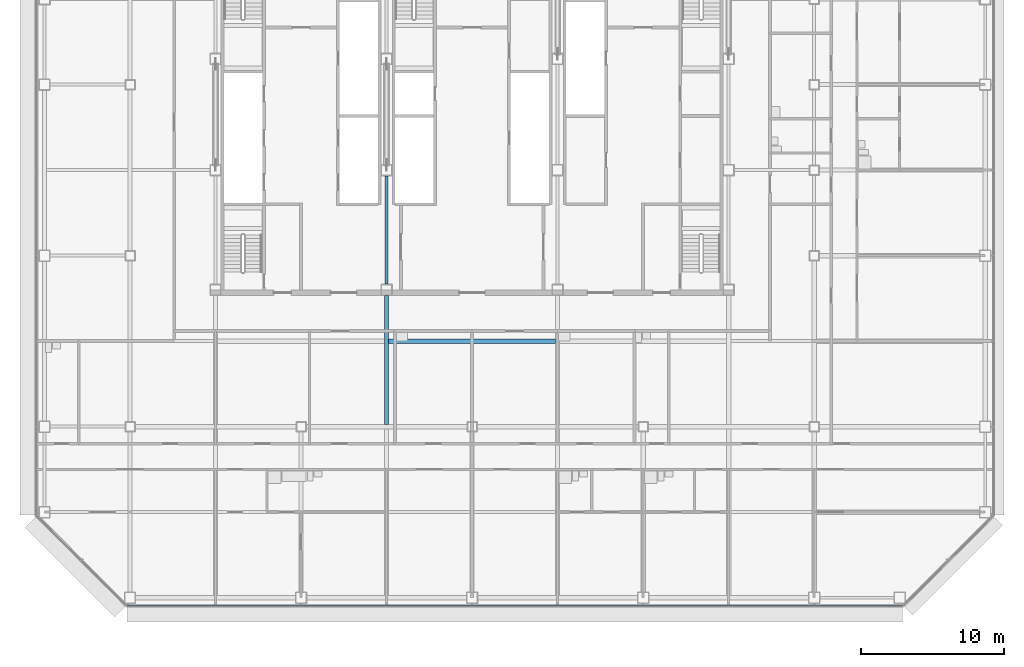
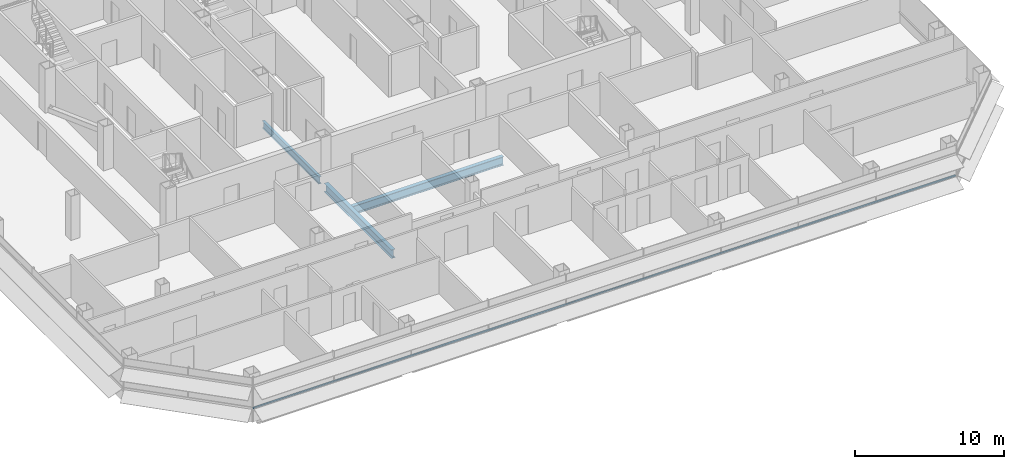
# One storey, part 7 of 25: 3 beams, 1 member, 1 element without a shape of its own.
"""IFC4 building model written with IfcOpenShell, lengths in metres."""

from ifc_helpers import new_model, si_unit, direction, frame, origin, origin_2d, place, context, subcontext, project, spatial, rectangle, i_section, extrude, material, material_profile, profile_set, type_object, element, aggregate, save


model = new_model("IFC4")

# Units and contexts
model_context = context("Model", 3, precision=1e-05, world=origin(), true_north=direction((0.0, 1.0)))
body_context = subcontext(model_context, "Body", "Model", "MODEL_VIEW")
ifc_project = project(units=[si_unit("LENGTHUNIT", "METRE"), si_unit("AREAUNIT", "SQUARE_METRE"), si_unit("VOLUMEUNIT", "CUBIC_METRE"), si_unit("PLANEANGLEUNIT", "RADIAN"), si_unit("MASSUNIT", "GRAM", prefix="KILO")], contexts=[model_context])

# Site, building, storey
site_placement = place(None, origin())
site = spatial("IfcSite", under=ifc_project, at=site_placement, CompositionType="ELEMENT")
building_placement = place(site_placement, origin())
building = spatial("IfcBuilding", under=site, at=building_placement, Name="Sorahane Residences", CompositionType="ELEMENT")
storey_placement = place(building_placement, frame((0.0, 0.0, 123.199951171875)))
storey = spatial("IfcBuildingStorey", under=building, at=storey_placement, Name="L27", CompositionType="ELEMENT", Elevation=123.199951171875)

# Curtain wall, member
ifc_material_1 = material(Name="Dark low-e glass and black anodised aluminium", Category="aluminium")
curtain_wall_type = type_object("IfcCurtainWallType", Name="Curtain wall CW-1 Typical unitised wall", PredefinedType="NOTDEFINED", material=ifc_material_1)
curtain_wall_placement = place(storey_placement, origin())
curtain_wall = element("IfcCurtainWall", 1, at=curtain_wall_placement, inside=storey, type_object=curtain_wall_type, Name="CW-1 curtain wall L27 S1", PredefinedType="NOTDEFINED")
ifc_material_2 = material(Name="Black anodised aluminium", Category="aluminium")
ifc_material_profile_1 = material_profile(ifc_material_2, rectangle(XDim=0.10009765625, YDim=0.06005859375, at=origin_2d()), Name="Curtain wall transom CW-1 black anodised aluminium 60x100")
ifc_profile_set_1 = profile_set([ifc_material_profile_1], Name="Black anodised aluminium")
member_type = type_object("IfcMemberType", Name="Curtain wall transom CW-1 black anodised aluminium 60x100", PredefinedType="USERDEFINED", material=ifc_profile_set_1)
member_placement = place(storey_placement, frame((-0.198486328125, -0.530029296875, 0.900146484375), z_axis=(1.0, 0.0, 0.0), x_axis=(0.0, 1.0, 0.0)))
member = element("IfcMember", 2, at=member_placement, type_object=member_type, Name="CW-1 transom L27 S1", ObjectType="TRANSOM", PredefinedType="USERDEFINED", context=body_context, shape_type="SweptSolid", body=[
    extrude(rectangle(XDim=0.10009765625, YDim=0.06005859375, at=origin_2d()), origin(), (0.0, 0.0, 1.0), 54.39697265625),
])
aggregate(curtain_wall, [member])

# Beams
ifc_material_3 = material(Name="Steel Q355B", Category="steel")
ifc_material_profile_2 = material_profile(ifc_material_3, i_section(OverallWidth=0.199951171875, OverallDepth=0.60009765625, WebThickness=0.010986328125, FlangeThickness=0.01708984375, FilletRadius=0.02392578125, at=origin_2d()), Name="HN 600x200x11x17")
ifc_profile_set_2 = profile_set([ifc_material_profile_2], Name="Steel Q355B")
beam_type_1 = type_object("IfcBeamType", Name="Steel floor beam HN 600x200x11x17 Q355B", PredefinedType="BEAM", material=ifc_profile_set_2)
beam_1_placement = place(storey_placement, frame((18.0, 22.0, -0.47998046875), z_axis=(0.0, 1.0, 0.0), x_axis=(-1.0, 0.0, 0.0)))
element("IfcBeam", 3, at=beam_1_placement, inside=storey, type_object=beam_type_1, Name="Beam L27 038", PredefinedType="BEAM", context=body_context, shape_type="SweptSolid", body=[
    extrude(i_section(OverallWidth=0.199951171875, OverallDepth=0.60009765625, WebThickness=0.010986328125, FlangeThickness=0.01708984375, FilletRadius=0.02392578125, at=origin_2d()), origin(), (0.0, 0.0, 1.0), 7.60009765625),
])
ifc_material_4 = material(Name="Steel Q355B", Category="steel")
ifc_material_profile_3 = material_profile(ifc_material_4, i_section(OverallWidth=0.300048828125, OverallDepth=0.699951171875, WebThickness=0.012939453125, FlangeThickness=0.02392578125, FilletRadius=0.028076171875, at=origin_2d()), Name="HN 700x300x13x24")
ifc_profile_set_3 = profile_set([ifc_material_profile_3], Name="Steel Q355B")
beam_type_2 = type_object("IfcBeamType", Name="Steel floor beam HN 700x300x13x24 Q355B", PredefinedType="BEAM", material=ifc_profile_set_3)
beam_2_placement = place(storey_placement, frame((18.0, 12.14990234375, -0.530029296875), z_axis=(0.0, 1.0, 0.0), x_axis=(-1.0, 0.0, 0.0)))
element("IfcBeam", 4, at=beam_2_placement, inside=storey, type_object=beam_type_2, Name="Beam L27 037", PredefinedType="BEAM", context=body_context, shape_type="SweptSolid", body=[
    extrude(i_section(OverallWidth=0.300048828125, OverallDepth=0.699951171875, WebThickness=0.012939453125, FlangeThickness=0.02392578125, FilletRadius=0.028076171875, at=origin_2d()), origin(), (0.0, 0.0, 1.0), 9.050048828125),
])
beam_3_placement = place(storey_placement, frame((18.14990234375, 18.0, -0.530029296875), z_axis=(1.0, 0.0, 0.0), x_axis=(0.0, 1.0, 0.0)))
element("IfcBeam", 5, at=beam_3_placement, inside=storey, type_object=beam_type_2, Name="Beam L27 081", PredefinedType="BEAM", context=body_context, shape_type="SweptSolid", body=[
    extrude(i_section(OverallWidth=0.300048828125, OverallDepth=0.699951171875, WebThickness=0.012939453125, FlangeThickness=0.02392578125, FilletRadius=0.028076171875, at=origin_2d()), origin(), (0.0, 0.0, 1.0), 11.7001953125),
])

save(model, "model.ifc")
